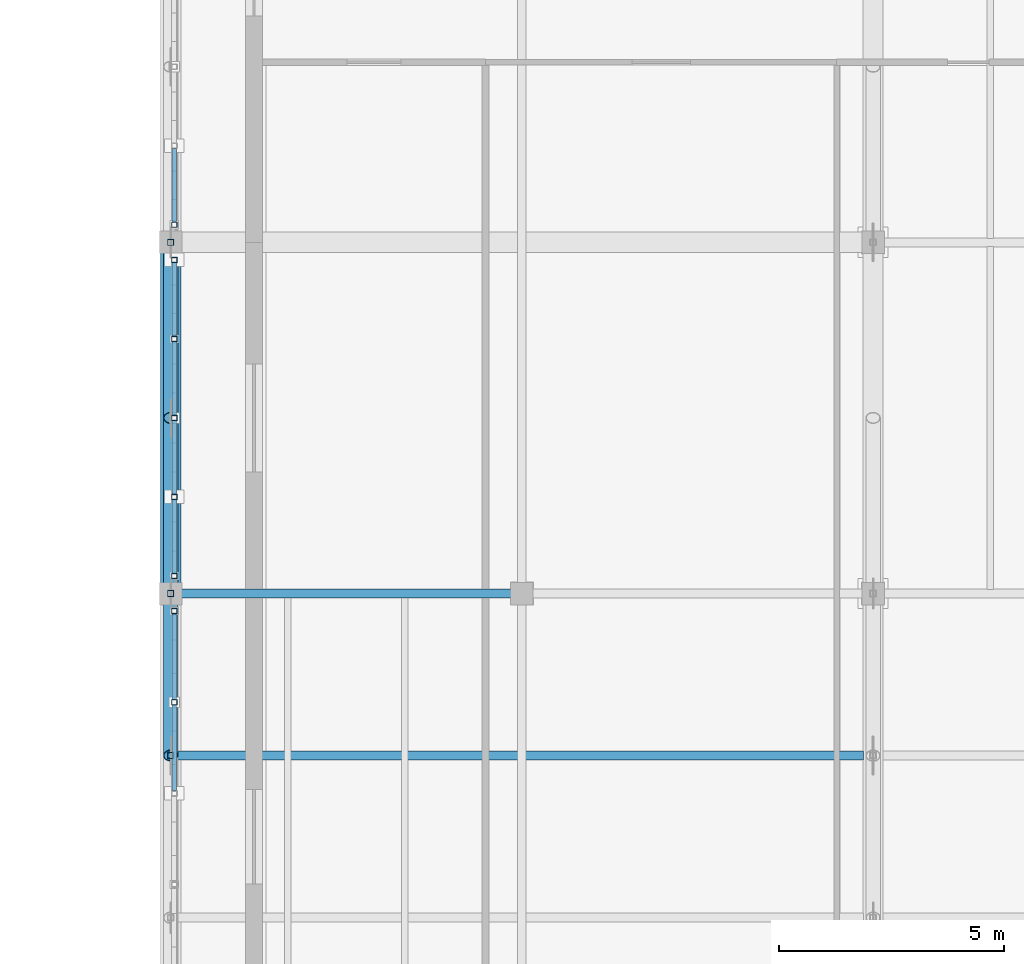
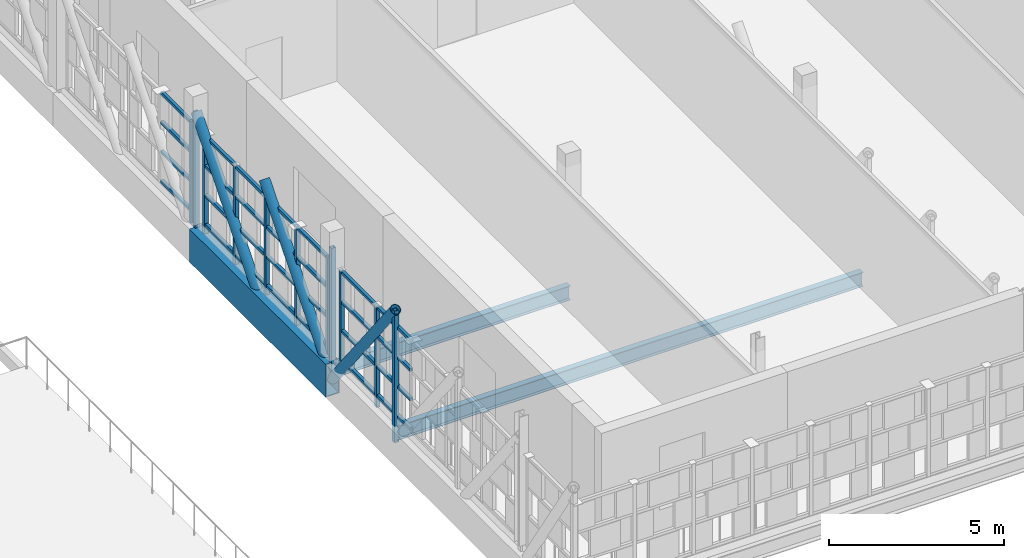
# One storey, part 13 of 89: 42 members, 3 beams.
"""IFC4 building model written with IfcOpenShell, lengths in metres."""

import ifcopenshell
import ifcopenshell.guid

model = None  # the IFC model being written
_history = None  # IfcOwnerHistory: only IFC2X3 demands one
_inside = {}  # id of a spatial element -> (the spatial element, [elements in it])
_under = {}  # id of a project, library or spatial element -> (it, [spatial elements below it])
_declared = {}  # id of a project -> (the project, [libraries it declares])
_typed = {}  # id of a type object -> (the type object, [elements of that type])
_made_of = {}  # id of a material, layer set ... -> (it, [elements and type objects made of it])


def new_model(schema):
    """Start an empty IFC model of exactly this schema.

    Asked for "IFC4X3", IfcOpenShell would pick the latest addendum, in which some entities
    have other attributes; the version numbers below select the first issue.
    IFC2X3 requires an IfcOwnerHistory on every rooted entity: one is made here for all.
    """
    global model, _history
    if schema == "IFC4X3":
        model = ifcopenshell.file(schema_version=(4, 3, 0, 0))
    else:
        model = ifcopenshell.file(schema=schema)
    _inside.clear()
    _under.clear()
    _declared.clear()
    _typed.clear()
    _made_of.clear()
    _history = None
    if model.schema == "IFC2X3":
        org = make("IfcOrganization", Name="unknown")
        user = make(
            "IfcPersonAndOrganization",
            ThePerson=make("IfcPerson", FamilyName="unknown"),
            TheOrganization=org,
        )
        app = make(
            "IfcApplication",
            ApplicationDeveloper=org,
            Version="unknown",
            ApplicationFullName="unknown",
            ApplicationIdentifier="unknown",
        )
        _history = make(
            "IfcOwnerHistory",
            OwningUser=user,
            OwningApplication=app,
            ChangeAction="ADDED",
            CreationDate=0,
        )
    return model


def make(cls, **values):
    """One entity of the class cls with the attributes given. An attribute that is None is left unset."""
    return model.create_entity(
        cls, **{name: value for name, value in values.items() if value is not None}
    )


def rooted(cls, **values):
    """An entity with a GlobalId (a new one), such as an element, a storey or a relation."""
    return make(cls, GlobalId=ifcopenshell.guid.new(), OwnerHistory=_history, **values)


def si_unit(unit_type, name, prefix=None):
    """IfcSIUnit, for example si_unit("LENGTHUNIT", "METRE", prefix="MILLI")."""
    return make("IfcSIUnit", UnitType=unit_type, Prefix=prefix, Name=name)


def assignment(units):
    """IfcUnitAssignment: the units of a project."""
    return None if units is None else make("IfcUnitAssignment", Units=units)


def point(xyz):
    """IfcCartesianPoint."""
    return None if xyz is None else make("IfcCartesianPoint", Coordinates=xyz)


def direction(xyz):
    """IfcDirection."""
    return None if xyz is None else make("IfcDirection", DirectionRatios=xyz)


def frame(location, z_axis=None, x_axis=None):
    """IfcAxis2Placement3D, a coordinate frame: its origin and axes. An axis left out is left unset."""
    return make(
        "IfcAxis2Placement3D",
        Location=point(location),
        Axis=direction(z_axis),
        RefDirection=direction(x_axis),
    )


def frame_2d(location, x_axis=None):
    """IfcAxis2Placement2D, a coordinate frame in the plane: its origin and x axis."""
    return make(
        "IfcAxis2Placement2D", Location=point(location), RefDirection=direction(x_axis)
    )


def origin():
    """The frame at (0, 0, 0) with its axes left unset."""
    return frame((0.0, 0.0, 0.0))


def origin_2d():
    """The frame at (0, 0) in the plane with its x axis left unset."""
    return frame_2d((0.0, 0.0))


def place(relative_to, where):
    """IfcLocalPlacement: puts the frame where relative to a parent placement (None: the world)."""
    return make(
        "IfcLocalPlacement", PlacementRelTo=relative_to, RelativePlacement=where
    )


def context(
    kind, dimensions, precision=None, world=None, true_north=None, identifier=None
):
    """IfcGeometricRepresentationContext, for example the 3D "Model" context."""
    return make(
        "IfcGeometricRepresentationContext",
        ContextIdentifier=identifier,
        ContextType=kind,
        CoordinateSpaceDimension=dimensions,
        Precision=precision,
        WorldCoordinateSystem=world,
        TrueNorth=true_north,
    )


def subcontext(parent, identifier, kind, view, scale=None):
    """IfcGeometricRepresentationSubContext, for example "Body" below "Model"."""
    return make(
        "IfcGeometricRepresentationSubContext",
        ContextIdentifier=identifier,
        ContextType=kind,
        ParentContext=parent,
        TargetScale=scale,
        TargetView=view,
    )


def project(units=None, contexts=None):
    """IfcProject with its units and contexts."""
    return rooted(
        "IfcProject",
        Name="project",
        RepresentationContexts=contexts,
        UnitsInContext=assignment(units),
    )


def spatial(cls, under=None, at=None, **own):
    """A site, building, storey or space (cls), placed at a placement, below another one or the project."""
    s = rooted(cls, ObjectPlacement=at, **own)
    if under is not None:
        _under.setdefault(under.id(), (under, []))[1].append(s)
    return s


def profile(cls, at=None, kind="AREA", **sizes):
    """A parametric profile (cls). Its sizes go by their IFC names, for example OverallWidth=200.0."""
    return make(cls, ProfileType=kind, Position=at, **sizes)


def hollow_rectangle(**sizes):
    """IfcRectangleHollowProfileDef."""
    return profile("IfcRectangleHollowProfileDef", **sizes)


def hollow_circle(**sizes):
    """IfcCircleHollowProfileDef."""
    return profile("IfcCircleHollowProfileDef", **sizes)


def i_section(**sizes):
    """IfcIShapeProfileDef."""
    return profile("IfcIShapeProfileDef", **sizes)


def extrude(swept, where, along, depth):
    """IfcExtrudedAreaSolid: the profile swept, set in the frame where, extruded along a direction by depth."""
    return make(
        "IfcExtrudedAreaSolid",
        SweptArea=swept,
        Position=where,
        ExtrudedDirection=direction(along),
        Depth=depth,
    )


def shape(context_of_items, identifier, shape_type, items):
    """IfcShapeRepresentation: the items that make up one representation, for example the "Body"."""
    return make(
        "IfcShapeRepresentation",
        ContextOfItems=context_of_items,
        RepresentationIdentifier=identifier,
        RepresentationType=shape_type,
        Items=items,
    )


def material(Name=None, Category=None):
    """IfcMaterial."""
    return make("IfcMaterial", Name=Name, Category=Category)


def material_profile(
    of_material, cross_section, Name=None, Category=None, Priority=None
):
    """IfcMaterialProfile: a cross section and its material."""
    return make(
        "IfcMaterialProfile",
        Name=Name,
        Material=of_material,
        Profile=cross_section,
        Priority=Priority,
        Category=Category,
    )


def profile_set(profiles, Name=None, composite=None):
    """IfcMaterialProfileSet."""
    return make(
        "IfcMaterialProfileSet",
        Name=Name,
        MaterialProfiles=profiles,
        CompositeProfile=composite,
    )


def made_of(thing, what):
    """Note that an element or type object is made of a material, layer set ...; save() writes the relation."""
    if what is not None:
        _made_of.setdefault(what.id(), (what, []))[1].append(thing)
    return thing


def type_object(cls, material=None, **own):
    """A type object (cls), such as IfcWallType, which elements share."""
    return made_of(rooted(cls, **own), material)


def element(
    cls,
    number,
    at=None,
    inside=None,
    cuts=None,
    type_object=None,
    material=None,
    context=None,
    identifier="Body",
    shape_type=None,
    held_by="IfcProductDefinitionShape",
    body=None,
    shapes=None,
    **own,
):
    """One element of the class cls, such as IfcWall. Its Tag is "e" and its number.

    at: its placement. inside: the storey or other place that contains it. cuts: it is an
    opening in that element (IfcRelVoidsElement). A single representation is given by context,
    identifier, shape_type and body (its items); several are given by shapes. held_by: the class
    of the entity that holds the representations. save() writes the other relations.
    """
    e = rooted(cls, Tag="e%d" % number, ObjectPlacement=at, **own)
    if body is not None:
        shapes = [shape(context, identifier, shape_type, body)]
    if shapes is not None:
        e.Representation = make(held_by, Representations=shapes)
    if inside is not None:
        _inside.setdefault(inside.id(), (inside, []))[1].append(e)
    if cuts is not None:
        rooted(
            "IfcRelVoidsElement", RelatingBuildingElement=cuts, RelatedOpeningElement=e
        )
    if type_object is not None:
        _typed.setdefault(type_object.id(), (type_object, []))[1].append(e)
    return made_of(e, material)


def aggregate(whole, parts):
    """IfcRelAggregates: a whole, such as a stair, and the parts it consists of."""
    return rooted("IfcRelAggregates", RelatingObject=whole, RelatedObjects=parts)


def save(model, path):
    """Write the relations noted so far, then the file.

    IfcRelAggregates (storeys below a building ...), IfcRelContainedInSpatialStructure (elements
    in a storey), IfcRelDefinesByType, IfcRelAssociatesMaterial and IfcRelDeclares: one each for
    every whole, place, type object, material and project.
    """
    for whole, parts in _under.values():
        aggregate(whole, parts)
    for where, things in _inside.values():
        rooted(
            "IfcRelContainedInSpatialStructure",
            RelatedElements=things,
            RelatingStructure=where,
        )
    for kind, things in _typed.values():
        rooted("IfcRelDefinesByType", RelatedObjects=things, RelatingType=kind)
    for what, things in _made_of.values():
        rooted("IfcRelAssociatesMaterial", RelatedObjects=things, RelatingMaterial=what)
    for by, libraries in _declared.values():
        rooted("IfcRelDeclares", RelatingContext=by, RelatedDefinitions=libraries)
    model.write(path)


model = new_model("IFC4")

# Units and contexts
model_context = context("Model", 3, precision=1e-05, world=origin(), true_north=direction((0.0, 1.0)))
body_context = subcontext(model_context, "Body", "Model", "MODEL_VIEW")
ifc_project = project(units=[si_unit("LENGTHUNIT", "METRE"), si_unit("AREAUNIT", "SQUARE_METRE"), si_unit("VOLUMEUNIT", "CUBIC_METRE"), si_unit("PLANEANGLEUNIT", "RADIAN"), si_unit("MASSUNIT", "GRAM", prefix="KILO")], contexts=[model_context])

# Site, building, storey
site_placement = place(None, origin())
site = spatial("IfcSite", under=ifc_project, at=site_placement, CompositionType="ELEMENT")
building_placement = place(site_placement, origin())
building = spatial("IfcBuilding", under=site, at=building_placement, Name="Celorna Specialist Clinic", CompositionType="ELEMENT")
storey_placement = place(building_placement, frame((0.0, 0.0, 14.10009765625)))
storey = spatial("IfcBuildingStorey", under=building, at=storey_placement, Name="L03", CompositionType="ELEMENT", Elevation=14.10009765625)

# Beams
ifc_material = material(Name="Steel S355", Category="steel")
ifc_material_profile_1 = material_profile(ifc_material, hollow_rectangle(XDim=0.449951171875, YDim=1.14990234375, WallThickness=0.031982421875, at=origin_2d()), Name="BOX 450x1150x32")
ifc_profile_set_1 = profile_set([ifc_material_profile_1], Name="Steel S355")
beam_type_1 = type_object("IfcBeamType", Name="BM-01", PredefinedType="BEAM", material=ifc_profile_set_1)
beam_1_placement = place(storey_placement, frame((54.60009765625, 19.5, -0.835205078125), z_axis=(0.0, 1.0, 0.0), x_axis=(-1.0, 0.0, 0.0)))
element("IfcBeam", 1, at=beam_1_placement, inside=storey, type_object=beam_type_1, Name="Cantilever Pratt truss chord WP-007-WP-008", PredefinedType="BEAM", context=body_context, shape_type="SweptSolid", body=[
    extrude(hollow_rectangle(XDim=0.449951171875, YDim=1.14990234375, WallThickness=0.031982421875, at=origin_2d()), origin(), (0.0, 0.0, 1.0), 7.800048828125),
])
ifc_material_profile_2 = material_profile(ifc_material, i_section(OverallWidth=0.199951171875, OverallDepth=0.5, WebThickness=0.01025390625, FlangeThickness=0.01611328125, at=origin_2d()), Name="IPE 500")
ifc_profile_set_2 = profile_set([ifc_material_profile_2], Name="Steel S355")
beam_type_2 = type_object("IfcBeamType", Name="BM-08", PredefinedType="BEAM", material=ifc_profile_set_2)
beam_2_placement = place(storey_placement, frame((54.60009765625, 15.89990234375, -0.510009765625), z_axis=(1.0, 0.0, 0.0), x_axis=(0.0, 1.0, 0.0)))
element("IfcBeam", 2, at=beam_2_placement, inside=storey, type_object=beam_type_2, Name="Cantilever floor girder BM-08 #21", PredefinedType="BEAM", context=body_context, shape_type="SweptSolid", body=[
    extrude(i_section(OverallWidth=0.199951171875, OverallDepth=0.5, WebThickness=0.01025390625, FlangeThickness=0.01611328125, at=origin_2d()), origin(), (0.0, 0.0, 1.0), 15.385009765625),
])
beam_3_placement = place(storey_placement, frame((54.60009765625, 19.5, -0.510009765625), z_axis=(1.0, 0.0, 0.0), x_axis=(0.0, 1.0, 0.0)))
element("IfcBeam", 3, at=beam_3_placement, inside=storey, type_object=beam_type_2, Name="Primary girder BM-08 #2160", PredefinedType="BEAM", context=body_context, shape_type="SweptSolid", body=[
    extrude(i_section(OverallWidth=0.199951171875, OverallDepth=0.5, WebThickness=0.01025390625, FlangeThickness=0.01611328125, at=origin_2d()), origin(), (0.0, 0.0, 1.0), 7.7998046875),
])

# Members
ifc_material_profile_3 = material_profile(ifc_material, hollow_circle(Radius=0.161865234375, WallThickness=0.01611328125, at=origin_2d()), Name="CHS 323.9x16")
ifc_profile_set_3 = profile_set([ifc_material_profile_3], Name="Steel S355")
member_type_1 = type_object("IfcMemberType", Name="MB-05", PredefinedType="BRACE", material=ifc_profile_set_3)
member_1_placement = place(storey_placement, frame((54.60009765625, 15.89990234375, 3.764892578125), z_axis=(0.0, 0.616310515553, -0.787503237085), x_axis=(-1.0, 0.0, 0.0)))
element("IfcMember", 4, at=member_1_placement, inside=storey, type_object=member_type_1, Name="Cantilever Pratt truss web diagonal WP-030-WP-007", PredefinedType="BRACE", context=body_context, shape_type="SweptSolid", body=[
    extrude(hollow_circle(Radius=0.161865234375, WallThickness=0.01611328125, at=origin_2d()), origin(), (0.0, 0.0, 1.0), 5.84130859375),
])
member_2_placement = place(storey_placement, frame((54.60009765625, 19.5, -0.835205078125), z_axis=(0.0, 0.64666784298, 0.762771722638), x_axis=(-1.0, 0.0, 0.0)))
element("IfcMember", 5, at=member_2_placement, inside=storey, type_object=member_type_1, Name="Cantilever Pratt truss web diagonal WP-007-WP-031", PredefinedType="BRACE", context=body_context, shape_type="SweptSolid", body=[
    extrude(hollow_circle(Radius=0.161865234375, WallThickness=0.01611328125, at=origin_2d()), origin(), (0.0, 0.0, 1.0), 6.03076171875),
])
member_3_placement = place(storey_placement, frame((54.60009765625, 23.39990234375, -0.835205078125), z_axis=(0.0, 0.646691395625, 0.762751754389), x_axis=(-1.0, 0.0, 0.0)))
element("IfcMember", 6, at=member_3_placement, inside=storey, type_object=member_type_1, Name="Cantilever Pratt truss web diagonal WP-022-WP-013", PredefinedType="BRACE", context=body_context, shape_type="SweptSolid", body=[
    extrude(hollow_circle(Radius=0.161865234375, WallThickness=0.01611328125, at=origin_2d()), origin(), (0.0, 0.0, 1.0), 6.031005859375),
])
ifc_material_profile_4 = material_profile(ifc_material, hollow_rectangle(XDim=0.139892578125, YDim=0.139892578125, WallThickness=0.008056640625, at=origin_2d()), Name="SHS 140x140x8")
ifc_profile_set_4 = profile_set([ifc_material_profile_4], Name="Steel S355")
member_type_2 = type_object("IfcMemberType", Name="MB-10", PredefinedType="CHORD", material=ifc_profile_set_4)
for number, where, z_axis, x_axis, name in (
    (7, (54.60009765625, 15.89990234375, -0.835205078125), (0.0, 0.0, 1.0), (1.0, 0.0, 0.0), "Cantilever Pratt truss vertical post WP-021-WP-030"),
    (8, (54.60009765625, 19.5, -0.835205078125), (0.0, 0.0, 1.0), (1.0, 0.0, 0.0), "Cantilever Pratt truss vertical post WP-007-WP-012"),
    (9, (54.60009765625, 27.300048828125, -0.835205078125), (0.0, 0.0, 1.0), (1.0, 0.0, 0.0), "Cantilever Pratt truss vertical post WP-008-WP-013"),
):
    element("IfcMember", number, at=place(storey_placement, frame(where, z_axis=z_axis, x_axis=x_axis)), inside=storey, type_object=member_type_2, Name=name, PredefinedType="CHORD", context=body_context, shape_type="SweptSolid", body=[
        extrude(hollow_rectangle(XDim=0.139892578125, YDim=0.139892578125, WallThickness=0.008056640625, at=origin_2d()), origin(), (0.0, 0.0, 1.0), 4.60009765625),
    ])
ifc_material_profile_5 = material_profile(ifc_material, hollow_rectangle(XDim=0.1201171875, YDim=0.1201171875, WallThickness=0.008056640625, at=origin_2d()), Name="SHS 120x120x8")
ifc_profile_set_5 = profile_set([ifc_material_profile_5], Name="Steel S355")
member_type_3 = type_object("IfcMemberType", Name="MB-11", PredefinedType="STUD", material=ifc_profile_set_5)
for number, where, z_axis, x_axis, name in (
    (10, (54.679931640625, 17.0859375, -0.360107421875), (0.0, 0.0, 1.0), (1.0, 0.0, 0.0), "Perforated screen steel post #266"),
    (11, (54.679931640625, 19.110107421875, -0.360107421875), (0.0, 0.0, 1.0), (1.0, 0.0, 0.0), "Perforated screen steel post #267"),
    (12, (54.679931640625, 19.889892578125, -0.360107421875), (0.0, 0.0, 1.0), (1.0, 0.0, 0.0), "Perforated screen steel post #288"),
    (13, (54.679931640625, 21.64501953125, -0.360107421875), (0.0, 0.0, 1.0), (1.0, 0.0, 0.0), "Perforated screen steel post #289"),
    (14, (54.679931640625, 23.39990234375, -0.360107421875), (0.0, 0.0, 1.0), (1.0, 0.0, 0.0), "Perforated screen steel post #290"),
    (15, (54.679931640625, 25.155029296875, -0.360107421875), (0.0, 0.0, 1.0), (1.0, 0.0, 0.0), "Perforated screen steel post #291"),
    (16, (54.679931640625, 26.909912109375, -0.360107421875), (0.0, 0.0, 1.0), (1.0, 0.0, 0.0), "Perforated screen steel post #292"),
    (17, (54.679931640625, 27.68994140625, -0.360107421875), (0.0, 0.0, 1.0), (1.0, 0.0, 0.0), "Perforated screen steel post #309"),
):
    element("IfcMember", number, at=place(storey_placement, frame(where, z_axis=z_axis, x_axis=x_axis)), inside=storey, type_object=member_type_3, Name=name, PredefinedType="STUD", context=body_context, shape_type="SweptSolid", body=[
        extrude(hollow_rectangle(XDim=0.1201171875, YDim=0.1201171875, WallThickness=0.008056640625, at=origin_2d()), origin(), (0.0, 0.0, 1.0), 3.5400390625),
    ])
ifc_material_profile_6 = material_profile(ifc_material, hollow_rectangle(XDim=0.10009765625, YDim=0.10009765625, WallThickness=0.006103515625, at=origin_2d()), Name="SHS 100x100x6")
ifc_profile_set_6 = profile_set([ifc_material_profile_6], Name="Steel S355")
member_type_4 = type_object("IfcMemberType", Name="MB-12", PredefinedType="STUD", material=ifc_profile_set_6)
for number, where, z_axis, x_axis, name in (
    (18, (54.679931640625, 15.1220703125, 0.0498046875), (0.0, 1.0, 0.0), (-1.0, 0.0, 0.0), "Perforated screen rail #280"),
    (19, (54.679931640625, 15.1220703125, 1.07666015625), (0.0, 1.0, 0.0), (-1.0, 0.0, 0.0), "Perforated screen rail #281"),
    (20, (54.679931640625, 15.1220703125, 2.103271484375), (0.0, 1.0, 0.0), (-1.0, 0.0, 0.0), "Perforated screen rail #282"),
    (21, (54.679931640625, 15.1220703125, 3.1298828125), (0.0, 1.0, 0.0), (-1.0, 0.0, 0.0), "Perforated screen rail #283"),
):
    element("IfcMember", number, at=place(storey_placement, frame(where, z_axis=z_axis, x_axis=x_axis)), inside=storey, type_object=member_type_4, Name=name, PredefinedType="STUD", context=body_context, shape_type="SweptSolid", body=[
        extrude(hollow_rectangle(XDim=0.10009765625, YDim=0.10009765625, WallThickness=0.006103515625, at=origin_2d()), origin(), (0.0, 0.0, 1.0), 1.90380859375),
    ])
for number, where, z_axis, x_axis, name in (
    (22, (54.679931640625, 17.14599609375, 0.0498046875), (0.0, 1.0, 0.0), (-1.0, 0.0, 0.0), "Perforated screen rail #284"),
    (23, (54.679931640625, 17.14599609375, 1.07666015625), (0.0, 1.0, 0.0), (-1.0, 0.0, 0.0), "Perforated screen rail #285"),
    (24, (54.679931640625, 17.14599609375, 2.103271484375), (0.0, 1.0, 0.0), (-1.0, 0.0, 0.0), "Perforated screen rail #286"),
    (25, (54.679931640625, 17.14599609375, 3.1298828125), (0.0, 1.0, 0.0), (-1.0, 0.0, 0.0), "Perforated screen rail #287"),
):
    element("IfcMember", number, at=place(storey_placement, frame(where, z_axis=z_axis, x_axis=x_axis)), inside=storey, type_object=member_type_4, Name=name, PredefinedType="STUD", context=body_context, shape_type="SweptSolid", body=[
        extrude(hollow_rectangle(XDim=0.10009765625, YDim=0.10009765625, WallThickness=0.006103515625, at=origin_2d()), origin(), (0.0, 0.0, 1.0), 1.904052734375),
    ])
for number, where, z_axis, x_axis, name in (
    (26, (54.679931640625, 19.949951171875, 0.0498046875), (0.0, 1.0, 0.0), (-1.0, 0.0, 0.0), "Perforated screen rail #293"),
    (27, (54.679931640625, 19.949951171875, 1.07666015625), (0.0, 1.0, 0.0), (-1.0, 0.0, 0.0), "Perforated screen rail #294"),
    (28, (54.679931640625, 19.949951171875, 2.103271484375), (0.0, 1.0, 0.0), (-1.0, 0.0, 0.0), "Perforated screen rail #295"),
    (29, (54.679931640625, 19.949951171875, 3.1298828125), (0.0, 1.0, 0.0), (-1.0, 0.0, 0.0), "Perforated screen rail #296"),
    (30, (54.679931640625, 21.705078125, 0.0498046875), (0.0, 1.0, 0.0), (-1.0, 0.0, 0.0), "Perforated screen rail #297"),
    (31, (54.679931640625, 21.705078125, 1.07666015625), (0.0, 1.0, 0.0), (-1.0, 0.0, 0.0), "Perforated screen rail #298"),
    (32, (54.679931640625, 21.705078125, 2.103271484375), (0.0, 1.0, 0.0), (-1.0, 0.0, 0.0), "Perforated screen rail #299"),
    (33, (54.679931640625, 21.705078125, 3.1298828125), (0.0, 1.0, 0.0), (-1.0, 0.0, 0.0), "Perforated screen rail #300"),
    (34, (54.679931640625, 23.4599609375, 0.0498046875), (0.0, 1.0, 0.0), (-1.0, 0.0, 0.0), "Perforated screen rail #301"),
    (35, (54.679931640625, 23.4599609375, 1.07666015625), (0.0, 1.0, 0.0), (-1.0, 0.0, 0.0), "Perforated screen rail #302"),
    (36, (54.679931640625, 23.4599609375, 2.103271484375), (0.0, 1.0, 0.0), (-1.0, 0.0, 0.0), "Perforated screen rail #303"),
    (37, (54.679931640625, 23.4599609375, 3.1298828125), (0.0, 1.0, 0.0), (-1.0, 0.0, 0.0), "Perforated screen rail #304"),
    (38, (54.679931640625, 25.215087890625, 0.0498046875), (0.0, 1.0, 0.0), (-1.0, 0.0, 0.0), "Perforated screen rail #305"),
    (39, (54.679931640625, 25.215087890625, 1.07666015625), (0.0, 1.0, 0.0), (-1.0, 0.0, 0.0), "Perforated screen rail #306"),
    (40, (54.679931640625, 25.215087890625, 2.103271484375), (0.0, 1.0, 0.0), (-1.0, 0.0, 0.0), "Perforated screen rail #307"),
    (41, (54.679931640625, 25.215087890625, 3.1298828125), (0.0, 1.0, 0.0), (-1.0, 0.0, 0.0), "Perforated screen rail #308"),
    (42, (54.679931640625, 27.75, 0.0498046875), (0.0, 1.0, 0.0), (-1.0, 0.0, 0.0), "Perforated screen rail #314"),
    (43, (54.679931640625, 27.75, 1.07666015625), (0.0, 1.0, 0.0), (-1.0, 0.0, 0.0), "Perforated screen rail #315"),
    (44, (54.679931640625, 27.75, 2.103271484375), (0.0, 1.0, 0.0), (-1.0, 0.0, 0.0), "Perforated screen rail #316"),
    (45, (54.679931640625, 27.75, 3.1298828125), (0.0, 1.0, 0.0), (-1.0, 0.0, 0.0), "Perforated screen rail #317"),
):
    element("IfcMember", number, at=place(storey_placement, frame(where, z_axis=z_axis, x_axis=x_axis)), inside=storey, type_object=member_type_4, Name=name, PredefinedType="STUD", context=body_context, shape_type="SweptSolid", body=[
        extrude(hollow_rectangle(XDim=0.10009765625, YDim=0.10009765625, WallThickness=0.006103515625, at=origin_2d()), origin(), (0.0, 0.0, 1.0), 1.635009765625),
    ])

save(model, "model.ifc")
